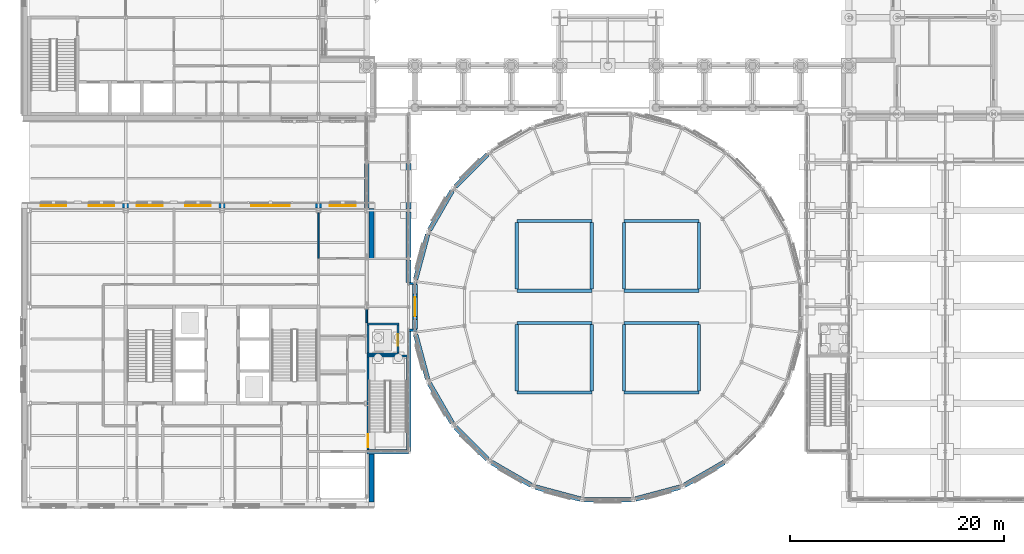
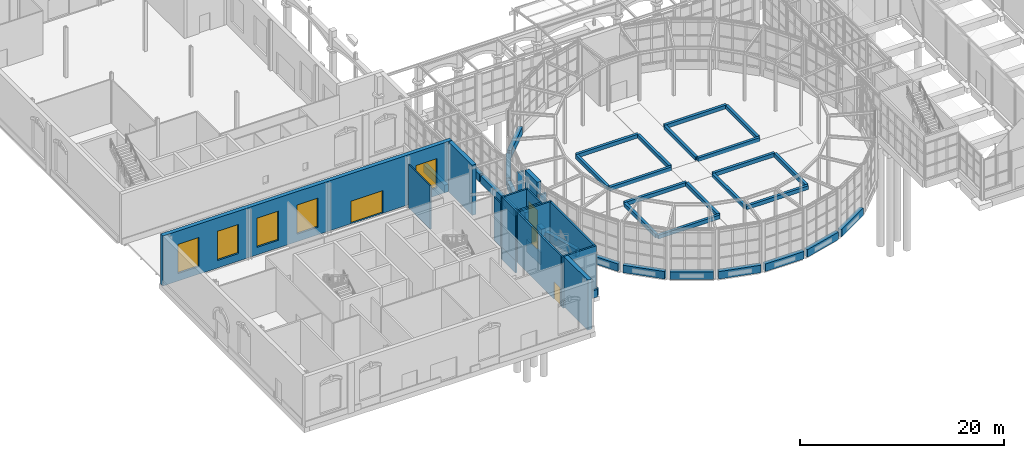
# One storey, part 69 of 106: 54 walls, 5 windows, 4 doors, 9 openings.
"""IFC4 building model written with IfcOpenShell, lengths in metres."""

from ifc_helpers import new_model, si_unit, direction, frame, frame_2d, origin, place, context, subcontext, project, spatial, rectangle, extrude, material, layer, layer_set, type_object, element, fill, save


model = new_model("IFC4")

# Units and contexts
model_context = context("Model", 3, precision=1e-05, world=origin(), true_north=direction((0.0, 1.0)))
body_context = subcontext(model_context, "Body", "Model", "MODEL_VIEW")
ifc_project = project(units=[si_unit("LENGTHUNIT", "METRE"), si_unit("AREAUNIT", "SQUARE_METRE"), si_unit("VOLUMEUNIT", "CUBIC_METRE"), si_unit("PLANEANGLEUNIT", "RADIAN"), si_unit("MASSUNIT", "GRAM", prefix="KILO")], contexts=[model_context])

# Site, building, storey
site_placement = place(None, origin())
site = spatial("IfcSite", under=ifc_project, at=site_placement, CompositionType="ELEMENT")
building_placement = place(site_placement, origin())
building = spatial("IfcBuilding", under=site, at=building_placement, Name="Hortulan Conservatory and Botanical Research Centre", CompositionType="ELEMENT")
storey_placement = place(building_placement, origin())
storey = spatial("IfcBuildingStorey", under=building, at=storey_placement, Name="L00", CompositionType="ELEMENT", Elevation=0.0)

# Walls
ifc_material_1 = material(Name="Concrete N40 (40 MPa, AS 3600)", Category="concrete")
ifc_layer_1 = layer(ifc_material_1, 0.199951171875)
ifc_layer_set_1 = layer_set([ifc_layer_1], Name="Head Link Shaft Wall 200")
wall_type_1 = type_object("IfcWallType", Name="Head Link Shaft Wall 200", PredefinedType="SHEAR", material=ifc_layer_set_1)
for number, where, z_axis, x_axis, name in (
    (1, (31.5, 4.60009765625, 0.0), (0.0, 0.0, 1.0), (1.0, 0.0, 0.0), "HW stair shaft south wall L00"),
    (2, (31.5, 13.39990234375, 0.0), (0.0, 0.0, 1.0), (1.0, 0.0, 0.0), "HW stair shaft north wall L00"),
):
    element("IfcWall", number, at=place(storey_placement, frame(where, z_axis=z_axis, x_axis=x_axis)), inside=storey, type_object=wall_type_1, Name=name, PredefinedType="SHEAR", context=body_context, shape_type="SweptSolid", body=[
        extrude(rectangle(XDim=3.89990234375, YDim=0.199951171875, at=frame_2d((1.949951171875, 0.0))), origin(), (0.0, 0.0, 1.0), 6.0),
    ])

# Wall, opening, door
wall_1_placement = place(storey_placement, frame((31.60009765625, 4.699951171875, 0.0), z_axis=(0.0, 0.0, 1.0), x_axis=(0.0, 1.0, 0.0)))
wall_1 = element("IfcWall", 3, at=wall_1_placement, inside=storey, type_object=wall_type_1, Name="HW stair shaft west wall L00", PredefinedType="SHEAR", context=body_context, shape_type="SweptSolid", body=[
    extrude(rectangle(XDim=8.60009765625, YDim=0.199951171875, at=frame_2d((4.300048828125, 0.0))), origin(), (0.0, 0.0, 1.0), 6.0),
])
opening_1_placement = place(wall_1_placement, frame((0.199951171875, 0.0, 0.0)))
opening_1 = element("IfcOpeningElement", 4, at=opening_1_placement, cuts=wall_1, Name="Opening DT5", PredefinedType="OPENING", context=body_context, shape_type="SweptSolid", body=[
    extrude(rectangle(XDim=1.199951171875, YDim=2.10009765625, at=frame_2d((0.60009765625, 1.050048828125))), frame((0.0, 0.10986328125, 0.0), z_axis=(0.0, -1.0, 0.0), x_axis=(1.0, 0.0, 0.0)), (0.0, 0.0, 1.0), 0.219970703125),
])
ifc_material_2 = material(Name="Steel door leaf, insulated", Category="steel")
door_type_1 = type_object("IfcDoorType", Name="Stair Door 1200x2100 FRL -/120/30", OperationType="NOTDEFINED", PredefinedType="DOOR", material=ifc_material_2)
door_1_placement = place(opening_1_placement, frame((1.199951171875, 0.0, 0.0), z_axis=(0.0, 0.0, 1.0), x_axis=(-1.0, 0.0, 0.0)))
door_1 = element("IfcDoor", 5, at=door_1_placement, inside=storey, type_object=door_type_1, Name="Stair door SHW L00 W to Corridor South 3", OperationType="SINGLE_SWING_RIGHT", OverallHeight=2.10009765625, OverallWidth=1.199951171875, PredefinedType="DOOR", context=body_context, shape_type="SweptSolid", body=[
    extrude(rectangle(XDim=1.199951171875, YDim=2.10009765625, at=frame_2d((0.60009765625, 1.050048828125))), frame((0.0, 0.02490234375, 0.0), z_axis=(0.0, -1.0, 0.0), x_axis=(1.0, 0.0, 0.0)), (0.0, 0.0, 1.0), 0.050048828125),
])
fill(opening_1, door_1)

# Walls
wall_2_placement = place(storey_placement, frame((35.300048828125, 4.699951171875, 0.0), z_axis=(0.0, 0.0, 1.0), x_axis=(0.0, 1.0, 0.0)))
element("IfcWall", 6, at=wall_2_placement, inside=storey, type_object=wall_type_1, Name="HW stair shaft east wall L00", PredefinedType="SHEAR", context=body_context, shape_type="SweptSolid", body=[
    extrude(rectangle(XDim=8.60009765625, YDim=0.199951171875, at=frame_2d((4.300048828125, 0.0))), origin(), (0.0, 0.0, 1.0), 6.0),
])
for number, where, z_axis, x_axis, name in (
    (7, (31.5, 13.60009765625, 0.0), (0.0, 0.0, 1.0), (1.0, 0.0, 0.0), "HW lift shaft south wall L00"),
    (8, (31.5, 16.39990234375, 0.0), (0.0, 0.0, 1.0), (1.0, 0.0, 0.0), "HW lift shaft north wall L00"),
):
    element("IfcWall", number, at=place(storey_placement, frame(where, z_axis=z_axis, x_axis=x_axis)), inside=storey, type_object=wall_type_1, Name=name, PredefinedType="SHEAR", context=body_context, shape_type="SweptSolid", body=[
        extrude(rectangle(XDim=3.0, YDim=0.199951171875, at=frame_2d((1.5, 0.0))), origin(), (0.0, 0.0, 1.0), 6.0),
    ])
wall_3_placement = place(storey_placement, frame((31.60009765625, 13.699951171875, 0.0), z_axis=(0.0, 0.0, 1.0), x_axis=(0.0, 1.0, 0.0)))
element("IfcWall", 9, at=wall_3_placement, inside=storey, type_object=wall_type_1, Name="HW lift shaft west wall L00", PredefinedType="SHEAR", context=body_context, shape_type="SweptSolid", body=[
    extrude(rectangle(XDim=2.60009765625, YDim=0.199951171875, at=frame_2d((1.300048828125, 0.0))), origin(), (0.0, 0.0, 1.0), 6.0),
])

# Wall, opening, door
wall_4_placement = place(storey_placement, frame((34.39990234375, 13.699951171875, 0.0), z_axis=(0.0, 0.0, 1.0), x_axis=(0.0, 1.0, 0.0)))
wall_4 = element("IfcWall", 10, at=wall_4_placement, inside=storey, type_object=wall_type_1, Name="HW lift shaft east wall L00", PredefinedType="SHEAR", context=body_context, shape_type="SweptSolid", body=[
    extrude(rectangle(XDim=2.60009765625, YDim=0.199951171875, at=frame_2d((1.300048828125, 0.0))), origin(), (0.0, 0.0, 1.0), 6.0),
])
opening_2_placement = place(wall_4_placement, frame((0.64990234375, 0.0, 0.0)))
opening_2 = element("IfcOpeningElement", 11, at=opening_2_placement, cuts=wall_4, Name="Opening LD1", PredefinedType="OPENING", context=body_context, shape_type="SweptSolid", body=[
    extrude(rectangle(XDim=1.10009765625, YDim=2.10009765625, at=frame_2d((0.550048828125, 1.050048828125))), frame((0.0, 0.10986328125, 0.0), z_axis=(0.0, -1.0, 0.0), x_axis=(1.0, 0.0, 0.0)), (0.0, 0.0, 1.0), 0.219970703125),
])
ifc_material_3 = material(Name="Stainless steel door leaves in steel frame", Category="steel")
door_type_2 = type_object("IfcDoorType", Name="Lift Landing Door 1100x2100", OperationType="DOUBLE_DOOR_SLIDING", PredefinedType="DOOR", material=ifc_material_3)
door_2_placement = place(opening_2_placement, origin())
door_2 = element("IfcDoor", 12, at=door_2_placement, inside=storey, type_object=door_type_2, Name="Lift LHW landing door L00", OperationType="DOUBLE_DOOR_SLIDING", OverallHeight=2.10009765625, OverallWidth=1.10009765625, PredefinedType="DOOR", context=body_context, shape_type="SweptSolid", body=[
    extrude(rectangle(XDim=1.10009765625, YDim=2.10009765625, at=frame_2d((0.550048828125, 1.050048828125))), frame((0.0, 0.02490234375, 0.0), z_axis=(0.0, -1.0, 0.0), x_axis=(1.0, 0.0, 0.0)), (0.0, 0.0, 1.0), 0.050048828125),
])
fill(opening_2, door_2)

# Walls
wall_5_placement = place(storey_placement, frame((31.5, 16.39990234375, -1.5), z_axis=(0.0, 0.0, 1.0), x_axis=(1.0, 0.0, 0.0)))
element("IfcWall", 13, at=wall_5_placement, inside=storey, type_object=wall_type_1, Name="HW lift pit north wall", PredefinedType="SHEAR", context=body_context, shape_type="SweptSolid", body=[
    extrude(rectangle(XDim=3.0, YDim=0.199951171875, at=frame_2d((1.5, 0.0))), origin(), (0.0, 0.0, 1.0), 1.5),
])
for number, where, z_axis, x_axis, name in (
    (14, (31.60009765625, 13.699951171875, -1.5), (0.0, 0.0, 1.0), (0.0, 1.0, 0.0), "HW lift pit west wall"),
    (15, (34.39990234375, 13.699951171875, -1.5), (0.0, 0.0, 1.0), (0.0, 1.0, 0.0), "HW lift pit east wall"),
):
    element("IfcWall", number, at=place(storey_placement, frame(where, z_axis=z_axis, x_axis=x_axis)), inside=storey, type_object=wall_type_1, Name=name, PredefinedType="SHEAR", context=body_context, shape_type="SweptSolid", body=[
        extrude(rectangle(XDim=2.60009765625, YDim=0.199951171875, at=frame_2d((1.300048828125, 0.0))), origin(), (0.0, 0.0, 1.0), 1.5),
    ])
ifc_material_4 = material(Name="Fire-rated plasterboard on steel studs", Category="steel")
ifc_layer_2 = layer(ifc_material_4, 0.14990234375)
ifc_layer_set_2 = layer_set([ifc_layer_2], Name="Lobby Partition 150")
wall_type_2 = type_object("IfcWallType", Name="Lobby Partition 150", PredefinedType="PARTITIONING", material=ifc_layer_set_2)
wall_6_placement = place(storey_placement, frame((31.5, 16.510009765625, 0.0), z_axis=(0.0, 0.0, 1.0), x_axis=(0.0, 1.0, 0.0)))
element("IfcWall", 16, at=wall_6_placement, inside=storey, type_object=wall_type_2, Name="Partition Men's WC and West Head Link Lobby L00", PredefinedType="PARTITIONING", context=body_context, shape_type="SweptSolid", body=[
    extrude(rectangle(XDim=1.26904296875, YDim=0.14990234375, at=frame_2d((0.634521484375, 0.0))), origin(), (0.0, 0.0, 1.0), 5.218017578125),
])
ifc_material_5 = material(Name="Plasterboard on steel studs", Category="steel")
ifc_layer_3 = layer(ifc_material_5, 0.125)
ifc_layer_set_3 = layer_set([ifc_layer_3], Name="Partition 125")
wall_type_3 = type_object("IfcWallType", Name="Partition 125", PredefinedType="PARTITIONING", material=ifc_layer_set_3)
wall_7_placement = place(storey_placement, frame((27.0, 22.5, 0.0), z_axis=(0.0, 0.0, 1.0), x_axis=(0.0, 1.0, 0.0)))
element("IfcWall", 17, at=wall_7_placement, inside=storey, type_object=wall_type_3, Name="Partition", PredefinedType="PARTITIONING", context=body_context, shape_type="SweptSolid", body=[
    extrude(rectangle(XDim=4.279052734375, YDim=0.125, at=frame_2d((2.1396484375, 0.0))), origin(), (0.0, 0.0, 1.0), 5.218017578125),
])
ifc_material_6 = material(Name="Brick masonry kerb with sandstone coping", Category="masonry")
ifc_layer_4 = layer(ifc_material_6, 0.300048828125)
ifc_layer_set_4 = layer_set([ifc_layer_4], Name="Planting Bed Kerb 300x450")
wall_type_4 = type_object("IfcWallType", Name="Planting Bed Kerb 300x450", PredefinedType="STANDARD", material=ifc_layer_set_4)
for number, where, z_axis, x_axis, name in (
    (18, (55.5, 19.5, 0.0), (0.0, 0.0, 1.0), (1.0, 0.0, 0.0), "Palm Dome planting bed 1 south kerb"),
    (19, (55.5, 26.0, 0.0), (0.0, 0.0, 1.0), (1.0, 0.0, 0.0), "Palm Dome planting bed 1 north kerb"),
):
    element("IfcWall", number, at=place(storey_placement, frame(where, z_axis=z_axis, x_axis=x_axis)), inside=storey, type_object=wall_type_4, Name=name, PredefinedType="STANDARD", context=body_context, shape_type="SweptSolid", body=[
        extrude(rectangle(XDim=7.0, YDim=0.300048828125, at=frame_2d((3.5, 0.0))), origin(), (0.0, 0.0, 1.0), 0.449951171875),
    ])
for number, where, z_axis, x_axis, name in (
    (20, (55.5, 19.64990234375, 0.0), (0.0, 0.0, 1.0), (0.0, 1.0, 0.0), "Palm Dome planting bed 1 west kerb"),
    (21, (62.5, 19.64990234375, 0.0), (0.0, 0.0, 1.0), (0.0, 1.0, 0.0), "Palm Dome planting bed 1 east kerb"),
):
    element("IfcWall", number, at=place(storey_placement, frame(where, z_axis=z_axis, x_axis=x_axis)), inside=storey, type_object=wall_type_4, Name=name, PredefinedType="STANDARD", context=body_context, shape_type="SweptSolid", body=[
        extrude(rectangle(XDim=6.2001953125, YDim=0.300048828125, at=frame_2d((3.10009765625, 0.0))), origin(), (0.0, 0.0, 1.0), 0.449951171875),
    ])
for number, where, z_axis, x_axis, name in (
    (22, (45.5, 19.5, 0.0), (0.0, 0.0, 1.0), (1.0, 0.0, 0.0), "Palm Dome planting bed 2 south kerb"),
    (23, (45.5, 26.0, 0.0), (0.0, 0.0, 1.0), (1.0, 0.0, 0.0), "Palm Dome planting bed 2 north kerb"),
):
    element("IfcWall", number, at=place(storey_placement, frame(where, z_axis=z_axis, x_axis=x_axis)), inside=storey, type_object=wall_type_4, Name=name, PredefinedType="STANDARD", context=body_context, shape_type="SweptSolid", body=[
        extrude(rectangle(XDim=7.0, YDim=0.300048828125, at=frame_2d((3.5, 0.0))), origin(), (0.0, 0.0, 1.0), 0.449951171875),
    ])
for number, where, z_axis, x_axis, name in (
    (24, (45.5, 19.64990234375, 0.0), (0.0, 0.0, 1.0), (0.0, 1.0, 0.0), "Palm Dome planting bed 2 west kerb"),
    (25, (52.5, 19.64990234375, 0.0), (0.0, 0.0, 1.0), (0.0, 1.0, 0.0), "Palm Dome planting bed 2 east kerb"),
):
    element("IfcWall", number, at=place(storey_placement, frame(where, z_axis=z_axis, x_axis=x_axis)), inside=storey, type_object=wall_type_4, Name=name, PredefinedType="STANDARD", context=body_context, shape_type="SweptSolid", body=[
        extrude(rectangle(XDim=6.2001953125, YDim=0.300048828125, at=frame_2d((3.10009765625, 0.0))), origin(), (0.0, 0.0, 1.0), 0.449951171875),
    ])
for number, where, z_axis, x_axis, name in (
    (26, (55.5, 10.0, 0.0), (0.0, 0.0, 1.0), (1.0, 0.0, 0.0), "Palm Dome planting bed 3 south kerb"),
    (27, (55.5, 16.5, 0.0), (0.0, 0.0, 1.0), (1.0, 0.0, 0.0), "Palm Dome planting bed 3 north kerb"),
):
    element("IfcWall", number, at=place(storey_placement, frame(where, z_axis=z_axis, x_axis=x_axis)), inside=storey, type_object=wall_type_4, Name=name, PredefinedType="STANDARD", context=body_context, shape_type="SweptSolid", body=[
        extrude(rectangle(XDim=7.0, YDim=0.300048828125, at=frame_2d((3.5, 0.0))), origin(), (0.0, 0.0, 1.0), 0.449951171875),
    ])
for number, where, z_axis, x_axis, name in (
    (28, (55.5, 10.14990234375, 0.0), (0.0, 0.0, 1.0), (0.0, 1.0, 0.0), "Palm Dome planting bed 3 west kerb"),
    (29, (62.5, 10.14990234375, 0.0), (0.0, 0.0, 1.0), (0.0, 1.0, 0.0), "Palm Dome planting bed 3 east kerb"),
):
    element("IfcWall", number, at=place(storey_placement, frame(where, z_axis=z_axis, x_axis=x_axis)), inside=storey, type_object=wall_type_4, Name=name, PredefinedType="STANDARD", context=body_context, shape_type="SweptSolid", body=[
        extrude(rectangle(XDim=6.2001953125, YDim=0.300048828125, at=frame_2d((3.10009765625, 0.0))), origin(), (0.0, 0.0, 1.0), 0.449951171875),
    ])
for number, where, z_axis, x_axis, name in (
    (30, (45.5, 10.0, 0.0), (0.0, 0.0, 1.0), (1.0, 0.0, 0.0), "Palm Dome planting bed 4 south kerb"),
    (31, (45.5, 16.5, 0.0), (0.0, 0.0, 1.0), (1.0, 0.0, 0.0), "Palm Dome planting bed 4 north kerb"),
):
    element("IfcWall", number, at=place(storey_placement, frame(where, z_axis=z_axis, x_axis=x_axis)), inside=storey, type_object=wall_type_4, Name=name, PredefinedType="STANDARD", context=body_context, shape_type="SweptSolid", body=[
        extrude(rectangle(XDim=7.0, YDim=0.300048828125, at=frame_2d((3.5, 0.0))), origin(), (0.0, 0.0, 1.0), 0.449951171875),
    ])
for number, where, z_axis, x_axis, name in (
    (32, (45.5, 10.14990234375, 0.0), (0.0, 0.0, 1.0), (0.0, 1.0, 0.0), "Palm Dome planting bed 4 west kerb"),
    (33, (52.5, 10.14990234375, 0.0), (0.0, 0.0, 1.0), (0.0, 1.0, 0.0), "Palm Dome planting bed 4 east kerb"),
):
    element("IfcWall", number, at=place(storey_placement, frame(where, z_axis=z_axis, x_axis=x_axis)), inside=storey, type_object=wall_type_4, Name=name, PredefinedType="STANDARD", context=body_context, shape_type="SweptSolid", body=[
        extrude(rectangle(XDim=6.2001953125, YDim=0.300048828125, at=frame_2d((3.10009765625, 0.0))), origin(), (0.0, 0.0, 1.0), 0.449951171875),
    ])
ifc_material_7 = material(Name="Sandstone masonry (Hawkesbury yellow block)", Category="masonry")
ifc_layer_5 = layer(ifc_material_7, 0.22509765625)
ifc_layer_set_5 = layer_set([ifc_layer_5], Name="Sandstone Masonry Cavity Wall 225")
wall_type_5 = type_object("IfcWallType", Name="Sandstone Masonry Cavity Wall 225", PredefinedType="STANDARD", material=ifc_layer_set_5)
wall_8_placement = place(storey_placement, frame((35.39990234375, 4.387451171875, 0.0), z_axis=(0.0, 0.0, 1.0), x_axis=(-1.0, 0.0, 0.0)))
element("IfcWall", 34, at=wall_8_placement, inside=storey, type_object=wall_type_5, Name="Plinth wall", PredefinedType="STANDARD", context=body_context, shape_type="SweptSolid", body=[
    extrude(rectangle(XDim=3.89990234375, YDim=0.22509765625, at=frame_2d((1.949951171875, 0.0))), origin(), (0.0, 0.0, 1.0), 0.89990234375),
])
wall_9_placement = place(storey_placement, frame((35.512451171875, 15.705322265625, 0.0), z_axis=(0.0, 0.0, 1.0), x_axis=(0.0, -1.0, 0.0)))
element("IfcWall", 35, at=wall_9_placement, inside=storey, type_object=wall_type_5, Name="Plinth wall", PredefinedType="STANDARD", context=body_context, shape_type="SweptSolid", body=[
    extrude(rectangle(XDim=11.205322265625, YDim=0.22509765625, at=frame_2d((5.6025390625, 0.0))), origin(), (0.0, 0.0, 1.0), 0.89990234375),
])
for number, where, z_axis, x_axis, name in (
    (36, (35.425048828125, 20.18212890625, 0.0), (0.0, 0.0, 1.0), (1.0, 0.0, 0.0), "Niche return wall"),
    (37, (35.425048828125, 15.81787109375, 0.0), (0.0, 0.0, 1.0), (1.0, 0.0, 0.0), "Niche return wall"),
):
    element("IfcWall", number, at=place(storey_placement, frame(where, z_axis=z_axis, x_axis=x_axis)), inside=storey, type_object=wall_type_5, Name=name, PredefinedType="STANDARD", context=body_context, shape_type="SweptSolid", body=[
        extrude(rectangle(XDim=0.77001953125, YDim=0.22509765625, at=frame_2d((0.385009765625, 0.0))), origin(), (0.0, 0.0, 1.0), 5.239990234375),
    ])

# Wall, openings, door, windows
ifc_layer_6 = layer(ifc_material_7, 0.449951171875)
ifc_layer_set_6 = layer_set([ifc_layer_6], Name="Sandstone Masonry Cavity Wall 450")
wall_type_6 = type_object("IfcWallType", Name="Sandstone Masonry Cavity Wall 450", PredefinedType="STANDARD", material=ifc_layer_set_6)
wall_10_placement = place(storey_placement, frame((-0.64990234375, 27.43603515625, 0.0), z_axis=(0.0, 0.0, 1.0), x_axis=(1.0, 0.0, 0.0)))
wall_10 = element("IfcWall", 38, at=wall_10_placement, inside=storey, type_object=wall_type_6, Name="E-EW-TW-L00-N3", PredefinedType="STANDARD", context=body_context, shape_type="SweptSolid", body=[
    extrude(rectangle(XDim=32.7998046875, YDim=0.449951171875, at=frame_2d((16.39990234375, 0.0))), origin(), (0.0, 0.0, 1.0), 6.0),
])
opening_3_placement = place(wall_10_placement, frame((21.35009765625, 0.0, 0.011962890625)))
opening_3 = element("IfcOpeningElement", 39, at=opening_3_placement, cuts=wall_10, Name="Opening ED5", PredefinedType="OPENING", context=body_context, shape_type="SweptSolid", body=[
    extrude(rectangle(XDim=3.60009765625, YDim=2.699951171875, at=frame_2d((1.800048828125, 1.35009765625))), frame((0.0, 0.23486328125, 0.0), z_axis=(0.0, -1.0, 0.0), x_axis=(1.0, 0.0, 0.0)), (0.0, 0.0, 1.0), 0.469970703125),
])
opening_4_placement = place(wall_10_placement, frame((1.699951171875, 0.0, 0.89990234375)))
opening_4 = element("IfcOpeningElement", 40, at=opening_4_placement, cuts=wall_10, Name="Opening W1", PredefinedType="OPENING", context=body_context, shape_type="SweptSolid", body=[
    extrude(rectangle(XDim=2.39990234375, YDim=3.5, at=frame_2d((1.199951171875, 1.75))), frame((0.0, 0.23486328125, 0.0), z_axis=(0.0, -1.0, 0.0), x_axis=(1.0, 0.0, 0.0)), (0.0, 0.0, 1.0), 0.469970703125),
])
opening_5_placement = place(wall_10_placement, frame((6.199951171875, 0.0, 0.89990234375)))
opening_5 = element("IfcOpeningElement", 41, at=opening_5_placement, cuts=wall_10, Name="Opening W1", PredefinedType="OPENING", context=body_context, shape_type="SweptSolid", body=[
    extrude(rectangle(XDim=2.39990234375, YDim=3.5, at=frame_2d((1.199951171875, 1.75))), frame((0.0, 0.23486328125, 0.0), z_axis=(0.0, -1.0, 0.0), x_axis=(1.0, 0.0, 0.0)), (0.0, 0.0, 1.0), 0.469970703125),
])
opening_6_placement = place(wall_10_placement, frame((10.699951171875, 0.0, 0.89990234375)))
opening_6 = element("IfcOpeningElement", 42, at=opening_6_placement, cuts=wall_10, Name="Opening W1", PredefinedType="OPENING", context=body_context, shape_type="SweptSolid", body=[
    extrude(rectangle(XDim=2.39990234375, YDim=3.5, at=frame_2d((1.199951171875, 1.75))), frame((0.0, 0.23486328125, 0.0), z_axis=(0.0, -1.0, 0.0), x_axis=(1.0, 0.0, 0.0)), (0.0, 0.0, 1.0), 0.469970703125),
])
opening_7_placement = place(wall_10_placement, frame((15.199951171875, 0.0, 0.89990234375)))
opening_7 = element("IfcOpeningElement", 43, at=opening_7_placement, cuts=wall_10, Name="Opening W1", PredefinedType="OPENING", context=body_context, shape_type="SweptSolid", body=[
    extrude(rectangle(XDim=2.39990234375, YDim=3.5, at=frame_2d((1.199951171875, 1.75))), frame((0.0, 0.23486328125, 0.0), z_axis=(0.0, -1.0, 0.0), x_axis=(1.0, 0.0, 0.0)), (0.0, 0.0, 1.0), 0.469970703125),
])
opening_8_placement = place(wall_10_placement, frame((28.699951171875, 0.0, 0.89990234375)))
opening_8 = element("IfcOpeningElement", 44, at=opening_8_placement, cuts=wall_10, Name="Opening W1", PredefinedType="OPENING", context=body_context, shape_type="SweptSolid", body=[
    extrude(rectangle(XDim=2.39990234375, YDim=3.5, at=frame_2d((1.199951171875, 1.75))), frame((0.0, 0.23486328125, 0.0), z_axis=(0.0, -1.0, 0.0), x_axis=(1.0, 0.0, 0.0)), (0.0, 0.0, 1.0), 0.469970703125),
])
ifc_material_8 = material(Name="Bronze and toughened laminated glass", Category="glass")
door_type_3 = type_object("IfcDoorType", Name="Bronze Entrance Door Set 3600x2700", OperationType="DOUBLE_DOOR_DOUBLE_SWING", PredefinedType="DOOR", material=ifc_material_8)
door_3_placement = place(opening_3_placement, origin())
door_3 = element("IfcDoor", 45, at=door_3_placement, inside=storey, type_object=door_type_3, Name="Main entrance door", OperationType="DOUBLE_DOOR_DOUBLE_SWING", OverallHeight=2.699951171875, OverallWidth=3.60009765625, PredefinedType="DOOR", context=body_context, shape_type="SweptSolid", body=[
    extrude(rectangle(XDim=3.60009765625, YDim=2.699951171875, at=frame_2d((1.800048828125, 1.35009765625))), frame((0.0, 0.02490234375, 0.0), z_axis=(0.0, -1.0, 0.0), x_axis=(1.0, 0.0, 0.0)), (0.0, 0.0, 1.0), 0.050048828125),
])
fill(opening_3, door_3)
ifc_material_9 = material(Name="Bronze-finished aluminium frame with low-e laminated double glazing", Category="aluminium")
window_type = type_object("IfcWindowType", Name="Sandstone Window 2400x3500", PartitioningType="SINGLE_PANEL", PredefinedType="WINDOW", material=ifc_material_9)
window_1_placement = place(opening_4_placement, origin())
window_1 = element("IfcWindow", 46, at=window_1_placement, inside=storey, type_object=window_type, Name="Sandstone window", OverallHeight=3.5, OverallWidth=2.39990234375, PartitioningType="SINGLE_PANEL", PredefinedType="WINDOW", context=body_context, shape_type="SweptSolid", body=[
    extrude(rectangle(XDim=2.39990234375, YDim=3.5, at=frame_2d((1.199951171875, 1.75))), frame((0.0, 0.030029296875, 0.0), z_axis=(0.0, -1.0, 0.0), x_axis=(1.0, 0.0, 0.0)), (0.0, 0.0, 1.0), 0.06005859375),
])
fill(opening_4, window_1)
window_2_placement = place(opening_5_placement, origin())
window_2 = element("IfcWindow", 47, at=window_2_placement, inside=storey, type_object=window_type, Name="Sandstone window", OverallHeight=3.5, OverallWidth=2.39990234375, PartitioningType="SINGLE_PANEL", PredefinedType="WINDOW", context=body_context, shape_type="SweptSolid", body=[
    extrude(rectangle(XDim=2.39990234375, YDim=3.5, at=frame_2d((1.199951171875, 1.75))), frame((0.0, 0.030029296875, 0.0), z_axis=(0.0, -1.0, 0.0), x_axis=(1.0, 0.0, 0.0)), (0.0, 0.0, 1.0), 0.06005859375),
])
fill(opening_5, window_2)
window_3_placement = place(opening_6_placement, origin())
window_3 = element("IfcWindow", 48, at=window_3_placement, inside=storey, type_object=window_type, Name="Sandstone window", OverallHeight=3.5, OverallWidth=2.39990234375, PartitioningType="SINGLE_PANEL", PredefinedType="WINDOW", context=body_context, shape_type="SweptSolid", body=[
    extrude(rectangle(XDim=2.39990234375, YDim=3.5, at=frame_2d((1.199951171875, 1.75))), frame((0.0, 0.030029296875, 0.0), z_axis=(0.0, -1.0, 0.0), x_axis=(1.0, 0.0, 0.0)), (0.0, 0.0, 1.0), 0.06005859375),
])
fill(opening_6, window_3)
window_4_placement = place(opening_7_placement, origin())
window_4 = element("IfcWindow", 49, at=window_4_placement, inside=storey, type_object=window_type, Name="Sandstone window", OverallHeight=3.5, OverallWidth=2.39990234375, PartitioningType="SINGLE_PANEL", PredefinedType="WINDOW", context=body_context, shape_type="SweptSolid", body=[
    extrude(rectangle(XDim=2.39990234375, YDim=3.5, at=frame_2d((1.199951171875, 1.75))), frame((0.0, 0.030029296875, 0.0), z_axis=(0.0, -1.0, 0.0), x_axis=(1.0, 0.0, 0.0)), (0.0, 0.0, 1.0), 0.06005859375),
])
fill(opening_7, window_4)
window_5_placement = place(opening_8_placement, origin())
window_5 = element("IfcWindow", 50, at=window_5_placement, inside=storey, type_object=window_type, Name="Sandstone window", OverallHeight=3.5, OverallWidth=2.39990234375, PartitioningType="SINGLE_PANEL", PredefinedType="WINDOW", context=body_context, shape_type="SweptSolid", body=[
    extrude(rectangle(XDim=2.39990234375, YDim=3.5, at=frame_2d((1.199951171875, 1.75))), frame((0.0, 0.030029296875, 0.0), z_axis=(0.0, -1.0, 0.0), x_axis=(1.0, 0.0, 0.0)), (0.0, 0.0, 1.0), 0.06005859375),
])
fill(opening_8, window_5)

# Walls
for number, where, z_axis, x_axis, name in (
    (51, (31.925048828125, 4.5, 0.0), (0.0, 0.0, 1.0), (0.0, -1.0, 0.0), "E-EW-TW-L00-E4p1"),
    (52, (31.925048828125, 27.199951171875, 0.0), (0.0, 0.0, 1.0), (0.0, -1.0, 0.0), "E-EW-TW-L00-E4p2"),
):
    element("IfcWall", number, at=place(storey_placement, frame(where, z_axis=z_axis, x_axis=x_axis)), inside=storey, type_object=wall_type_6, Name=name, PredefinedType="STANDARD", context=body_context, shape_type="SweptSolid", body=[
        extrude(rectangle(XDim=4.699951171875, YDim=0.449951171875, at=frame_2d((2.35009765625, 0.0))), origin(), (0.0, 0.0, 1.0), 6.0),
    ])
wall_11_placement = place(storey_placement, frame((39.773193359375, 29.22900390625, 0.0), z_axis=(0.0, 0.0, 1.0), x_axis=(0.707106781187, 0.707106781187, 0.0)))
element("IfcWall", 53, at=wall_11_placement, inside=storey, type_object=wall_type_6, Name="Plinth wall", PredefinedType="STANDARD", context=body_context, shape_type="SweptSolid", body=[
    extrude(rectangle(XDim=4.239501953125, YDim=0.449951171875, at=frame_2d((2.11962890625, 0.0))), origin(), (0.0, 0.0, 1.0), 0.89990234375),
])
wall_12_placement = place(storey_placement, frame((37.347900390625, 25.15771484375, 0.0), z_axis=(0.0, 0.0, 1.0), x_axis=(0.49998406464, 0.866034603873, 0.0)))
element("IfcWall", 54, at=wall_12_placement, inside=storey, type_object=wall_type_6, Name="Plinth wall", PredefinedType="STANDARD", context=body_context, shape_type="SweptSolid", body=[
    extrude(rectangle(XDim=4.254638671875, YDim=0.449951171875, at=frame_2d((2.12744140625, 0.0))), origin(), (0.0, 0.0, 1.0), 0.89990234375),
])
wall_13_placement = place(storey_placement, frame((36.056396484375, 20.579833984375, 0.0), z_axis=(0.0, 0.0, 1.0), x_axis=(0.258781441844, 0.965935901267, 0.0)))
element("IfcWall", 55, at=wall_13_placement, inside=storey, type_object=wall_type_6, Name="Plinth wall", PredefinedType="STANDARD", context=body_context, shape_type="SweptSolid", body=[
    extrude(rectangle(XDim=4.304931640625, YDim=0.449951171875, at=frame_2d((2.15234375, 0.0))), origin(), (0.0, 0.0, 1.0), 0.89990234375),
])
wall_14_placement = place(storey_placement, frame((36.0, 15.930419921875, 0.0), z_axis=(0.0, 0.0, 1.0), x_axis=(0.0, 1.0, 0.0)))
element("IfcWall", 56, at=wall_14_placement, inside=storey, type_object=wall_type_6, Name="Plinth wall", PredefinedType="STANDARD", context=body_context, shape_type="SweptSolid", body=[
    extrude(rectangle(XDim=0.86962890625, YDim=0.449951171875, at=frame_2d((0.434814453125, 0.0))), origin(), (0.0, 0.0, 1.0), 0.89990234375),
])

# Wall, opening, door
wall_15_placement = place(storey_placement, frame((36.0, 16.800048828125, 0.0), z_axis=(0.0, 0.0, 1.0), x_axis=(0.0, 1.0, 0.0)))
wall_15 = element("IfcWall", 57, at=wall_15_placement, inside=storey, type_object=wall_type_6, Name="Door bay wall", PredefinedType="STANDARD", context=body_context, shape_type="SweptSolid", body=[
    extrude(rectangle(XDim=2.39990234375, YDim=0.449951171875, at=frame_2d((1.199951171875, 0.0))), origin(), (0.0, 0.0, 1.0), 6.0),
])
opening_9_placement = place(wall_15_placement, frame((0.300048828125, 0.0, 0.011962890625)))
opening_9 = element("IfcOpeningElement", 58, at=opening_9_placement, cuts=wall_15, Name="Opening ED8", PredefinedType="OPENING", context=body_context, shape_type="SweptSolid", body=[
    extrude(rectangle(XDim=1.800048828125, YDim=2.39990234375, at=frame_2d((0.89990234375, 1.199951171875))), frame((0.0, 0.23486328125, 0.0), z_axis=(0.0, -1.0, 0.0), x_axis=(1.0, 0.0, 0.0)), (0.0, 0.0, 1.0), 0.469970703125),
])
door_type_4 = type_object("IfcDoorType", Name="Sliding Glazed Door Pair 1800x2400", OperationType="DOUBLE_DOOR_SLIDING", PredefinedType="DOOR", material=ifc_material_8)
door_4_placement = place(opening_9_placement, origin())
door_4 = element("IfcDoor", 59, at=door_4_placement, inside=storey, type_object=door_type_4, Name="Link door", OperationType="DOUBLE_DOOR_SLIDING", OverallHeight=2.39990234375, OverallWidth=1.800048828125, PredefinedType="DOOR", context=body_context, shape_type="SweptSolid", body=[
    extrude(rectangle(XDim=1.800048828125, YDim=2.39990234375, at=frame_2d((0.89990234375, 1.199951171875))), frame((0.0, 0.02490234375, 0.0), z_axis=(0.0, -1.0, 0.0), x_axis=(1.0, 0.0, 0.0)), (0.0, 0.0, 1.0), 0.050048828125),
])
fill(opening_9, door_4)

# Walls
wall_16_placement = place(storey_placement, frame((36.0, 19.199951171875, 0.0), z_axis=(0.0, 0.0, 1.0), x_axis=(0.0, 1.0, 0.0)))
element("IfcWall", 60, at=wall_16_placement, inside=storey, type_object=wall_type_6, Name="Plinth wall", PredefinedType="STANDARD", context=body_context, shape_type="SweptSolid", body=[
    extrude(rectangle(XDim=0.86962890625, YDim=0.449951171875, at=frame_2d((0.434814453125, 0.0))), origin(), (0.0, 0.0, 1.0), 0.89990234375),
])
wall_17_placement = place(storey_placement, frame((37.17041015625, 11.261962890625, 0.0), z_axis=(0.0, 0.0, 1.0), x_axis=(-0.258781441844, 0.965935901267, 0.0)))
element("IfcWall", 61, at=wall_17_placement, inside=storey, type_object=wall_type_6, Name="Plinth wall", PredefinedType="STANDARD", context=body_context, shape_type="SweptSolid", body=[
    extrude(rectangle(XDim=4.304931640625, YDim=0.449951171875, at=frame_2d((2.15234375, 0.0))), origin(), (0.0, 0.0, 1.0), 0.89990234375),
])
wall_18_placement = place(storey_placement, frame((39.47509765625, 7.15771484375, 0.0), z_axis=(0.0, 0.0, 1.0), x_axis=(-0.49998406464, 0.866034603873, 0.0)))
element("IfcWall", 62, at=wall_18_placement, inside=storey, type_object=wall_type_6, Name="Plinth wall", PredefinedType="STANDARD", context=body_context, shape_type="SweptSolid", body=[
    extrude(rectangle(XDim=4.254638671875, YDim=0.449951171875, at=frame_2d((2.12744140625, 0.0))), origin(), (0.0, 0.0, 1.0), 0.89990234375),
])
wall_19_placement = place(storey_placement, frame((42.77099609375, 3.773193359375, 0.0), z_axis=(0.0, 0.0, 1.0), x_axis=(-0.707106781187, 0.707106781187, 0.0)))
element("IfcWall", 63, at=wall_19_placement, inside=storey, type_object=wall_type_6, Name="Plinth wall", PredefinedType="STANDARD", context=body_context, shape_type="SweptSolid", body=[
    extrude(rectangle(XDim=4.239501953125, YDim=0.449951171875, at=frame_2d((2.11962890625, 0.0))), origin(), (0.0, 0.0, 1.0), 0.89990234375),
])
wall_20_placement = place(storey_placement, frame((46.84228515625, 1.347900390625, 0.0), z_axis=(0.0, 0.0, 1.0), x_axis=(-0.866034603873, 0.49998406464, 0.0)))
element("IfcWall", 64, at=wall_20_placement, inside=storey, type_object=wall_type_6, Name="Plinth wall", PredefinedType="STANDARD", context=body_context, shape_type="SweptSolid", body=[
    extrude(rectangle(XDim=4.254638671875, YDim=0.449951171875, at=frame_2d((2.12744140625, 0.0))), origin(), (0.0, 0.0, 1.0), 0.89990234375),
])
wall_21_placement = place(storey_placement, frame((51.420166015625, 0.056396484375, 0.0), z_axis=(0.0, 0.0, 1.0), x_axis=(-0.965935901267, 0.258781441844, 0.0)))
element("IfcWall", 65, at=wall_21_placement, inside=storey, type_object=wall_type_6, Name="Plinth wall", PredefinedType="STANDARD", context=body_context, shape_type="SweptSolid", body=[
    extrude(rectangle(XDim=4.304931640625, YDim=0.449951171875, at=frame_2d((2.15234375, 0.0))), origin(), (0.0, 0.0, 1.0), 0.89990234375),
])
wall_22_placement = place(storey_placement, frame((56.19189453125, 0.0, 0.0), z_axis=(0.0, 0.0, 1.0), x_axis=(-1.0, 0.0, 0.0)))
element("IfcWall", 66, at=wall_22_placement, inside=storey, type_object=wall_type_6, Name="Plinth wall", PredefinedType="STANDARD", context=body_context, shape_type="SweptSolid", body=[
    extrude(rectangle(XDim=4.3837890625, YDim=0.449951171875, at=frame_2d((2.19189453125, 0.0))), origin(), (0.0, 0.0, 1.0), 0.89990234375),
])
wall_23_placement = place(storey_placement, frame((60.738037109375, 1.17041015625, 0.0), z_axis=(0.0, 0.0, 1.0), x_axis=(-0.965935901267, -0.258781441844, 0.0)))
element("IfcWall", 67, at=wall_23_placement, inside=storey, type_object=wall_type_6, Name="Plinth wall", PredefinedType="STANDARD", context=body_context, shape_type="SweptSolid", body=[
    extrude(rectangle(XDim=4.304931640625, YDim=0.449951171875, at=frame_2d((2.15234375, 0.0))), origin(), (0.0, 0.0, 1.0), 0.89990234375),
])
wall_24_placement = place(storey_placement, frame((64.84228515625, 3.47509765625, 0.0), z_axis=(0.0, 0.0, 1.0), x_axis=(-0.866034603873, -0.49998406464, 0.0)))
element("IfcWall", 68, at=wall_24_placement, inside=storey, type_object=wall_type_6, Name="Plinth wall", PredefinedType="STANDARD", context=body_context, shape_type="SweptSolid", body=[
    extrude(rectangle(XDim=4.254638671875, YDim=0.449951171875, at=frame_2d((2.12744140625, 0.0))), origin(), (0.0, 0.0, 1.0), 0.89990234375),
])
for number, where, z_axis, x_axis, name in (
    (69, (35.39990234375, 31.3720703125, 0.0), (0.0, 0.0, 1.0), (0.0, -1.0, 0.0), "Plinth wall"),
    (70, (35.39990234375, 26.8720703125, 0.0), (0.0, 0.0, 1.0), (0.0, -1.0, 0.0), "Plinth wall"),
):
    element("IfcWall", number, at=place(storey_placement, frame(where, z_axis=z_axis, x_axis=x_axis)), inside=storey, type_object=wall_type_6, Name=name, PredefinedType="STANDARD", context=body_context, shape_type="SweptSolid", body=[
        extrude(rectangle(XDim=4.244140625, YDim=0.449951171875, at=frame_2d((2.1220703125, 0.0))), origin(), (0.0, 0.0, 1.0), 0.89990234375),
    ])
wall_25_placement = place(storey_placement, frame((35.39990234375, 22.3720703125, 0.0), z_axis=(0.0, 0.0, 1.0), x_axis=(0.0, -1.0, 0.0)))
element("IfcWall", 71, at=wall_25_placement, inside=storey, type_object=wall_type_6, Name="Plinth wall", PredefinedType="STANDARD", context=body_context, shape_type="SweptSolid", body=[
    extrude(rectangle(XDim=2.077392578125, YDim=0.449951171875, at=frame_2d((1.03857421875, 0.0))), origin(), (0.0, 0.0, 1.0), 0.89990234375),
])
wall_26_placement = place(storey_placement, frame((31.5, 27.214111328125, 0.0), z_axis=(0.0, 0.0, 1.0), x_axis=(0.0, 1.0, 0.0)))
element("IfcWall", 72, at=wall_26_placement, inside=storey, type_object=wall_type_6, Name="Plinth wall", PredefinedType="STANDARD", context=body_context, shape_type="SweptSolid", body=[
    extrude(rectangle(XDim=4.157958984375, YDim=0.449951171875, at=frame_2d((2.0791015625, 0.0))), origin(), (0.0, 0.0, 1.0), 0.89990234375),
])

save(model, "model.ifc")
